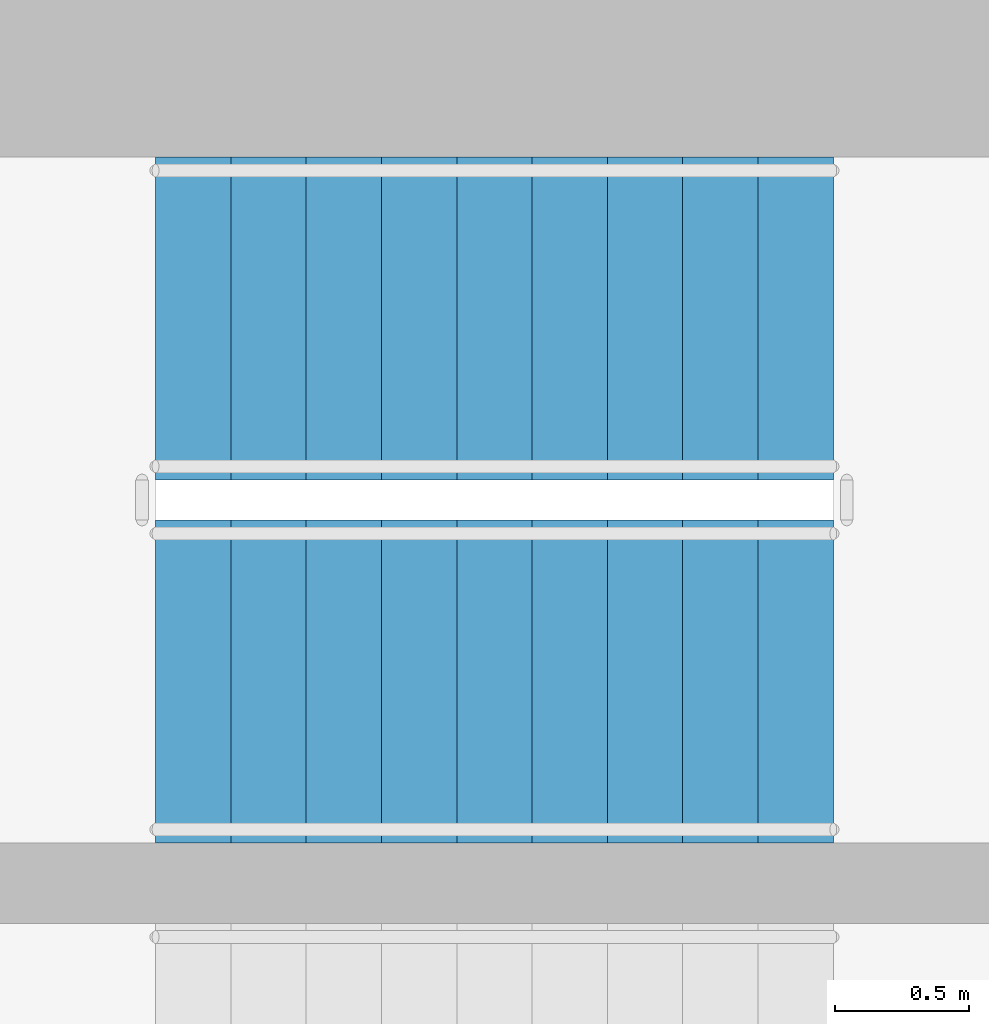
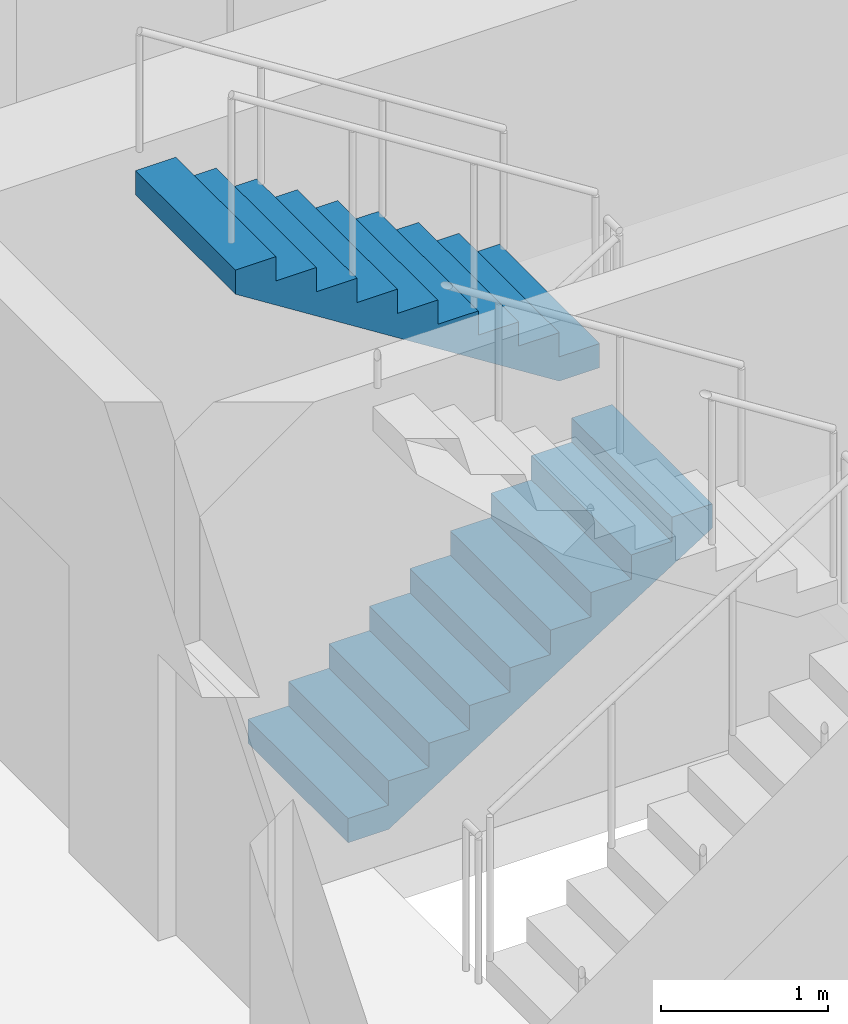
# One storey, part 13 of 17: 2 stair flights, 1 element without a shape of its own.
"""IFC4 building model written with IfcOpenShell, lengths in metres."""

from ifc_helpers import new_model, si_unit, direction, frame, origin, place, context, subcontext, project, spatial, polyline, outline, extrude, material, type_object, element, aggregate, save


model = new_model("IFC4")

# Units and contexts
model_context = context("Model", 3, precision=1e-05, world=origin(), true_north=direction((0.0, 1.0)))
body_context = subcontext(model_context, "Body", "Model", "MODEL_VIEW")
ifc_project = project(units=[si_unit("LENGTHUNIT", "METRE"), si_unit("AREAUNIT", "SQUARE_METRE"), si_unit("VOLUMEUNIT", "CUBIC_METRE"), si_unit("PLANEANGLEUNIT", "RADIAN"), si_unit("MASSUNIT", "GRAM", prefix="KILO")], contexts=[model_context])

# Site, building, storey
site_placement = place(None, origin())
site = spatial("IfcSite", under=ifc_project, at=site_placement, CompositionType="ELEMENT")
building_placement = place(site_placement, origin())
building = spatial("IfcBuilding", under=site, at=building_placement, Name="Ostrand Prow Hotel Tower", CompositionType="ELEMENT")
storey_placement = place(building_placement, frame((0.0, 0.0, 182.60009765625)))
storey = spatial("IfcBuildingStorey", under=building, at=storey_placement, Name="L45", CompositionType="ELEMENT", Elevation=182.60009765625)

# Stair, stair flights
ifc_material_1 = material(Name="Concrete C40/50", Category="concrete")
stair_type = type_object("IfcStairType", Name="Exit stair 1200 upper zone", PredefinedType="HALF_TURN_STAIR", material=ifc_material_1)
stair_placement = place(storey_placement, origin())
stair = element("IfcStair", 1, at=stair_placement, inside=storey, type_object=stair_type, Name="L45 ST3C", PredefinedType="HALF_TURN_STAIR")
ifc_material_2 = material(Name="Concrete C40/50", Category="concrete")
stair_flight_type = type_object("IfcStairFlightType", Name="Stair flight 1200 concrete", PredefinedType="STRAIGHT", material=ifc_material_2)
stair_flight_1_placement = place(storey_placement, frame((57.199951171875, 13.800048828125, 0.0), z_axis=(0.0, 0.0, 1.0), x_axis=(1.0, 0.0, 0.0)))
stair_flight_1 = element("IfcStairFlight", 2, at=stair_flight_1_placement, type_object=stair_flight_type, Name="ST3C flight 1", NumberOfRisers=10, NumberOfTreads=9, PredefinedType="STRAIGHT", RiserHeight=0.1775, TreadLength=0.28, context=body_context, shape_type="SweptSolid", body=[
    extrude(outline(polyline([(0.0, 0.0), (0.0, 0.177490234375), (0.280029296875, 0.177490234375), (0.280029296875, 0.35498046875), (0.56005859375, 0.35498046875), (0.56005859375, 0.532470703125), (0.840087890625, 0.532470703125), (0.840087890625, 0.7099609375), (1.1201171875, 0.7099609375), (1.1201171875, 0.887451171875), (1.39990234375, 0.887451171875), (1.39990234375, 1.06494140625), (1.679931640625, 1.06494140625), (1.679931640625, 1.242431640625), (1.9599609375, 1.242431640625), (1.9599609375, 1.419921875), (2.239990234375, 1.419921875), (2.239990234375, 1.597412109375), (2.52001953125, 1.597412109375), (2.52001953125, 1.77490234375), (2.52001953125, 1.419921875), (0.280029296875, 0.0), (0.0, 0.0)])), frame((0.0, 0.60009765625, 0.0), z_axis=(0.0, -1.0, 0.0), x_axis=(1.0, 0.0, 0.0)), (0.0, 0.0, 1.0), 1.199951171875),
])
stair_flight_2_placement = place(storey_placement, frame((59.719970703125, 15.14990234375, 1.77490234375), z_axis=(0.0, 0.0, 1.0), x_axis=(-1.0, 0.0, 0.0)))
stair_flight_2 = element("IfcStairFlight", 3, at=stair_flight_2_placement, type_object=stair_flight_type, Name="ST3C flight 2", NumberOfRisers=10, NumberOfTreads=9, PredefinedType="STRAIGHT", RiserHeight=0.1775, TreadLength=0.28, context=body_context, shape_type="SweptSolid", body=[
    extrude(outline(polyline([(0.0, 0.0), (0.0, 0.177490234375), (0.280029296875, 0.177490234375), (0.280029296875, 0.35498046875), (0.56005859375, 0.35498046875), (0.56005859375, 0.532470703125), (0.840087890625, 0.532470703125), (0.840087890625, 0.7099609375), (1.1201171875, 0.7099609375), (1.1201171875, 0.887451171875), (1.39990234375, 0.887451171875), (1.39990234375, 1.06494140625), (1.679931640625, 1.06494140625), (1.679931640625, 1.242431640625), (1.9599609375, 1.242431640625), (1.9599609375, 1.419921875), (2.239990234375, 1.419921875), (2.239990234375, 1.597412109375), (2.52001953125, 1.597412109375), (2.52001953125, 1.77490234375), (2.52001953125, 1.419921875), (0.280029296875, 0.0), (0.0, 0.0)])), frame((0.0, 0.60009765625, 0.0), z_axis=(0.0, -1.0, 0.0), x_axis=(1.0, 0.0, 0.0)), (0.0, 0.0, 1.0), 1.199951171875),
])
aggregate(stair, [stair_flight_1, stair_flight_2])

save(model, "model.ifc")
